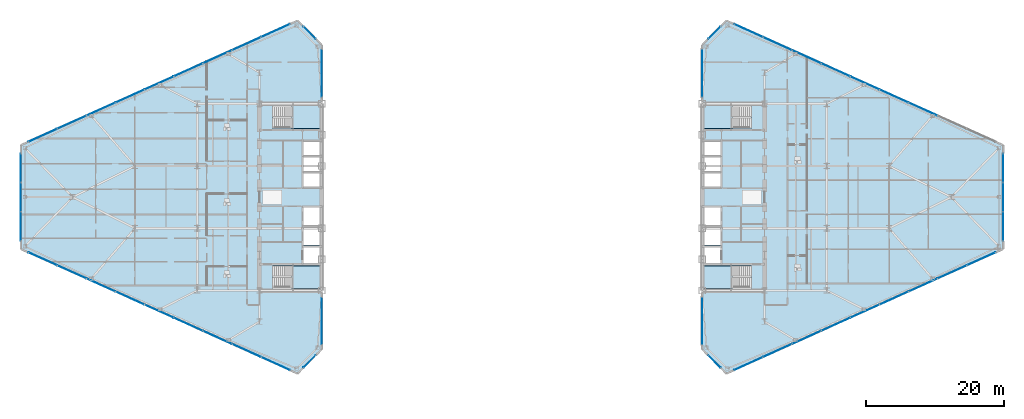
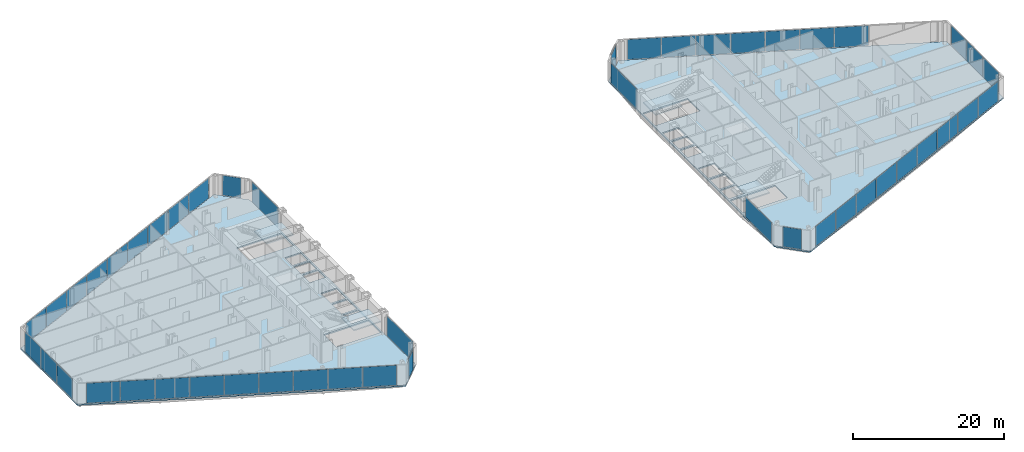
# One storey, part 17 of 27: 48 plates, 6 slabs, 18 elements without a shape of their own.
"""IFC4 building model written with IfcOpenShell, lengths in metres."""

from ifc_helpers import new_model, si_unit, direction, frame, origin, origin_2d, place, context, subcontext, project, spatial, polyline, rectangle, outline, extrude, source, transform, mapped, material, layer, layer_set, type_object, type_shapes, element, aggregate, save


model = new_model("IFC4")

# Units and contexts
model_context = context("Model", 3, precision=1e-05, world=origin(), true_north=direction((0.0, 1.0)))
body_context = subcontext(model_context, "Body", "Model", "MODEL_VIEW")
ifc_project = project(units=[si_unit("LENGTHUNIT", "METRE"), si_unit("AREAUNIT", "SQUARE_METRE"), si_unit("VOLUMEUNIT", "CUBIC_METRE"), si_unit("PLANEANGLEUNIT", "RADIAN"), si_unit("MASSUNIT", "GRAM", prefix="KILO")], contexts=[model_context])

# Site, building, storey
site_placement = place(None, origin())
site = spatial("IfcSite", under=ifc_project, at=site_placement, CompositionType="ELEMENT")
building_placement = place(site_placement, origin())
building = spatial("IfcBuilding", under=site, at=building_placement, Name="Seokmaru Belvedere", CompositionType="ELEMENT")
storey_placement = place(building_placement, frame((0.0, 0.0, 92.39990234375)))
storey = spatial("IfcBuildingStorey", under=building, at=storey_placement, Name="L24", CompositionType="ELEMENT", Elevation=92.39990234375)

# Stair, slab
ifc_material_1 = material(Name="Concrete C40 (40 MPa)", Category="concrete")
stair_type = type_object("IfcStairType", Name="Typical Tower Core Dog-Leg Stair 3600", PredefinedType="TWO_STRAIGHT_RUN_STAIR", material=ifc_material_1)
stair_1_placement = place(storey_placement, origin())
stair_1 = element("IfcStair", 1, at=stair_1_placement, inside=storey, type_object=stair_type, Name="L24 Special Escape Stair ST-W1", PredefinedType="TWO_STRAIGHT_RUN_STAIR")
ifc_layer_1 = layer(ifc_material_1, 0.199951171875)
ifc_layer_set_1 = layer_set([ifc_layer_1], Name="Concrete C40 (40 MPa)")
slab_type_1 = type_object("IfcSlabType", Name="Reinforced Concrete Stair Landing Slab 200", PredefinedType="LANDING", material=ifc_layer_set_1)
slab_1_placement = place(storey_placement, frame((0.0, 0.0, 1.60009765625)))
slab_1 = element("IfcSlab", 2, at=slab_1_placement, type_object=slab_type_1, Name="ST-W1 landing 1", PredefinedType="LANDING", context=body_context, shape_type="SweptSolid", body=[
    extrude(outline(polyline([(-31.8798828125, -13.239990234375), (-27.760009765625, -13.239990234375), (-27.760009765625, -9.949951171875), (-31.8798828125, -9.949951171875), (-31.8798828125, -13.239990234375)])), origin(), (0.0, 0.0, 1.0), 0.199951171875),
])
aggregate(stair_1, [slab_1])

stair_2_placement = place(storey_placement, origin())
stair_2 = element("IfcStair", 3, at=stair_2_placement, inside=storey, type_object=stair_type, Name="L24 Special Escape Stair ST-W2", PredefinedType="TWO_STRAIGHT_RUN_STAIR")
slab_2_placement = place(storey_placement, frame((0.0, 0.0, 1.60009765625)))
slab_2 = element("IfcSlab", 4, at=slab_2_placement, type_object=slab_type_1, Name="ST-W2 landing 1", PredefinedType="LANDING", context=body_context, shape_type="SweptSolid", body=[
    extrude(outline(polyline([(-31.8798828125, 9.949951171875), (-27.760009765625, 9.949951171875), (-27.760009765625, 13.239990234375), (-31.8798828125, 13.239990234375), (-31.8798828125, 9.949951171875)])), origin(), (0.0, 0.0, 1.0), 0.199951171875),
])
aggregate(stair_2, [slab_2])

stair_3_placement = place(storey_placement, origin())
stair_3 = element("IfcStair", 5, at=stair_3_placement, inside=storey, type_object=stair_type, Name="L24 Special Escape Stair ST-E1", PredefinedType="TWO_STRAIGHT_RUN_STAIR")
slab_3_placement = place(storey_placement, frame((0.0, 0.0, 1.60009765625)))
slab_3 = element("IfcSlab", 6, at=slab_3_placement, type_object=slab_type_1, Name="ST-E1 landing 1", PredefinedType="LANDING", context=body_context, shape_type="SweptSolid", body=[
    extrude(outline(polyline([(27.760009765625, -13.239990234375), (31.8798828125, -13.239990234375), (31.8798828125, -9.949951171875), (27.760009765625, -9.949951171875), (27.760009765625, -13.239990234375)])), origin(), (0.0, 0.0, 1.0), 0.199951171875),
])
aggregate(stair_3, [slab_3])

stair_4_placement = place(storey_placement, origin())
stair_4 = element("IfcStair", 7, at=stair_4_placement, inside=storey, type_object=stair_type, Name="L24 Special Escape Stair ST-E2", PredefinedType="TWO_STRAIGHT_RUN_STAIR")
slab_4_placement = place(storey_placement, frame((0.0, 0.0, 1.60009765625)))
slab_4 = element("IfcSlab", 8, at=slab_4_placement, type_object=slab_type_1, Name="ST-E2 landing 1", PredefinedType="LANDING", context=body_context, shape_type="SweptSolid", body=[
    extrude(outline(polyline([(27.760009765625, 9.949951171875), (31.8798828125, 9.949951171875), (31.8798828125, 13.239990234375), (27.760009765625, 13.239990234375), (27.760009765625, 9.949951171875)])), origin(), (0.0, 0.0, 1.0), 0.199951171875),
])
aggregate(stair_4, [slab_4])

# Slabs
ifc_layer_2 = layer(ifc_material_1, 0.219970703125)
ifc_layer_set_2 = layer_set([ifc_layer_2], Name="Concrete C40 (40 MPa)")
slab_type_2 = type_object("IfcSlabType", Name="Typical Tower Composite Floor Slab 220", PredefinedType="FLOOR", material=ifc_layer_set_2)
slab_5_placement = place(storey_placement, frame((0.0, 0.0, -0.219970703125)))
element("IfcSlab", 9, at=slab_5_placement, inside=storey, type_object=slab_type_2, Name="L24 West Leg Floor Slab", PredefinedType="FLOOR", context=body_context, shape_type="SweptSolid", body=[
    extrude(outline(polyline([(-27.5, -22.0), (-27.5, 22.0), (-31.0, 25.5), (-71.0, 7.5), (-71.0, -7.5), (-31.0, -25.5), (-27.5, -22.0)]), holes=[polyline([(-34.60009765625, -13.25), (-27.75, -13.25), (-27.75, -9.949951171875), (-34.60009765625, -9.949951171875), (-34.60009765625, -13.25)]), polyline([(-34.60009765625, 9.949951171875), (-27.75, 9.949951171875), (-27.75, 13.25), (-34.60009765625, 13.25), (-34.60009765625, 9.949951171875)]), polyline([(-30.14990234375, -9.550048828125), (-27.75, -9.550048828125), (-27.75, -7.25), (-30.14990234375, -7.25), (-30.14990234375, -9.550048828125)]), polyline([(-30.14990234375, -6.949951171875), (-27.75, -6.949951171875), (-27.75, -4.35009765625), (-30.14990234375, -4.35009765625), (-30.14990234375, -6.949951171875)]), polyline([(-30.14990234375, -4.050048828125), (-27.75, -4.050048828125), (-27.75, -1.449951171875), (-30.14990234375, -1.449951171875), (-30.14990234375, -4.050048828125)]), polyline([(-30.14990234375, 1.449951171875), (-27.75, 1.449951171875), (-27.75, 3.449951171875), (-30.14990234375, 3.449951171875), (-30.14990234375, 1.449951171875)]), polyline([(-30.14990234375, 3.75), (-27.75, 3.75), (-27.75, 5.75), (-30.14990234375, 5.75), (-30.14990234375, 3.75)]), polyline([(-30.14990234375, 6.050048828125), (-27.75, 6.050048828125), (-27.75, 8.050048828125), (-30.14990234375, 8.050048828125), (-30.14990234375, 6.050048828125)])]), origin(), (0.0, 0.0, 1.0), 0.219970703125),
])
slab_6_placement = place(storey_placement, frame((0.0, 0.0, -0.219970703125)))
element("IfcSlab", 10, at=slab_6_placement, inside=storey, type_object=slab_type_2, Name="L24 East Leg Floor Slab", PredefinedType="FLOOR", context=body_context, shape_type="SweptSolid", body=[
    extrude(outline(polyline([(31.0, -25.5), (71.0, -7.5), (71.0, 7.5), (31.0, 25.5), (27.5, 22.0), (27.5, -22.0), (31.0, -25.5)]), holes=[polyline([(27.75, -13.25), (34.60009765625, -13.25), (34.60009765625, -9.949951171875), (27.75, -9.949951171875), (27.75, -13.25)]), polyline([(27.75, 9.949951171875), (34.60009765625, 9.949951171875), (34.60009765625, 13.25), (27.75, 13.25), (27.75, 9.949951171875)]), polyline([(27.75, -9.550048828125), (30.14990234375, -9.550048828125), (30.14990234375, -7.25), (27.75, -7.25), (27.75, -9.550048828125)]), polyline([(27.75, -6.949951171875), (30.14990234375, -6.949951171875), (30.14990234375, -4.35009765625), (27.75, -4.35009765625), (27.75, -6.949951171875)]), polyline([(27.75, -4.050048828125), (30.14990234375, -4.050048828125), (30.14990234375, -1.449951171875), (27.75, -1.449951171875), (27.75, -4.050048828125)]), polyline([(27.75, 1.449951171875), (30.14990234375, 1.449951171875), (30.14990234375, 3.449951171875), (27.75, 3.449951171875), (27.75, 1.449951171875)]), polyline([(27.75, 3.75), (30.14990234375, 3.75), (30.14990234375, 5.75), (27.75, 5.75), (27.75, 3.75)]), polyline([(27.75, 6.050048828125), (30.14990234375, 6.050048828125), (30.14990234375, 8.050048828125), (27.75, 8.050048828125), (27.75, 6.050048828125)])]), origin(), (0.0, 0.0, 1.0), 0.219970703125),
])

# Curtain wall, plate
ifc_material_2 = material(Name="Bronze Triple Insulating Glass", Category="glass")
ifc_layer_3 = layer(ifc_material_2, 0.195068359375)
ifc_layer_set_3 = layer_set([ifc_layer_3], Name="Bronze Triple Insulating Glass")
curtain_wall_type = type_object("IfcCurtainWallType", Name="Lower-Mid Tapered Curtain Wall System CW-3", PredefinedType="NOTDEFINED", material=ifc_layer_set_3)
curtain_wall_1_placement = place(storey_placement, origin())
curtain_wall_1 = element("IfcCurtainWall", 11, at=curtain_wall_1_placement, inside=storey, type_object=curtain_wall_type, Name="L24 Curtain Wall WSP_1", PredefinedType="NOTDEFINED")
ifc_layer_4 = layer(ifc_material_2, 0.035888671875)
ifc_layer_set_4 = layer_set([ifc_layer_4], Name="Bronze Triple Insulating Glass")
plate_type = type_object("IfcPlateType", Name="Bronze Triple Vision Glazing Panel 36", PredefinedType="CURTAIN_PANEL", material=ifc_layer_set_4)
shared_shape_1 = source(origin(), body_context, "Body", "SweptSolid", [
    extrude(rectangle(XDim=6.909912109375, YDim=0.035888671875, at=origin_2d()), origin(), (0.0, 0.0, 1.0), 3.239990234375),
])
plate_1_placement = place(storey_placement, frame((-27.5, -17.905029296875, 0.0703125), z_axis=(0.0, 0.0, 1.0), x_axis=(0.0, 1.0, 0.0)))
plate_1 = element("IfcPlate", 12, at=plate_1_placement, type_object=plate_type, Name="CW:L24:WSP_1 Glazing Panel 1-1", PredefinedType="CURTAIN_PANEL", context=body_context, shape_type="MappedRepresentation", body=[
    mapped(shared_shape_1, transform((0.0, 0.0, 0.0), scale=1.0)),
])
aggregate(curtain_wall_1, [plate_1])

curtain_wall_2_placement = place(storey_placement, origin())
curtain_wall_2 = element("IfcCurtainWall", 13, at=curtain_wall_2_placement, inside=storey, type_object=curtain_wall_type, Name="L24 Curtain Wall WSP_2", PredefinedType="NOTDEFINED")
plate_2_placement = place(storey_placement, frame((-27.5, 17.905029296875, 0.0703125), z_axis=(0.0, 0.0, 1.0), x_axis=(0.0, 1.0, 0.0)))
plate_2 = element("IfcPlate", 14, at=plate_2_placement, type_object=plate_type, Name="CW:L24:WSP_2 Glazing Panel 1-1", PredefinedType="CURTAIN_PANEL", context=body_context, shape_type="MappedRepresentation", body=[
    mapped(shared_shape_1, transform((0.0, 0.0, 0.0), scale=1.0)),
])
aggregate(curtain_wall_2, [plate_2])

curtain_wall_3_placement = place(storey_placement, origin())
curtain_wall_3 = element("IfcCurtainWall", 15, at=curtain_wall_3_placement, inside=storey, type_object=curtain_wall_type, Name="L24 Curtain Wall ESP_1", PredefinedType="NOTDEFINED")
plate_3_placement = place(storey_placement, frame((27.5, -17.905029296875, 0.0703125), z_axis=(0.0, 0.0, 1.0), x_axis=(0.0, -1.0, 0.0)))
plate_3 = element("IfcPlate", 16, at=plate_3_placement, type_object=plate_type, Name="CW:L24:ESP_1 Glazing Panel 1-1", PredefinedType="CURTAIN_PANEL", context=body_context, shape_type="MappedRepresentation", body=[
    mapped(shared_shape_1, transform((0.0, 0.0, 0.0), scale=1.0)),
])
aggregate(curtain_wall_3, [plate_3])

curtain_wall_4_placement = place(storey_placement, origin())
curtain_wall_4 = element("IfcCurtainWall", 17, at=curtain_wall_4_placement, inside=storey, type_object=curtain_wall_type, Name="L24 Curtain Wall ESP_2", PredefinedType="NOTDEFINED")
plate_4_placement = place(storey_placement, frame((27.5, 17.905029296875, 0.0703125), z_axis=(0.0, 0.0, 1.0), x_axis=(0.0, -1.0, 0.0)))
plate_4 = element("IfcPlate", 18, at=plate_4_placement, type_object=plate_type, Name="CW:L24:ESP_2 Glazing Panel 1-1", PredefinedType="CURTAIN_PANEL", context=body_context, shape_type="MappedRepresentation", body=[
    mapped(shared_shape_1, transform((0.0, 0.0, 0.0), scale=1.0)),
])
aggregate(curtain_wall_4, [plate_4])

curtain_wall_5_placement = place(storey_placement, origin())
curtain_wall_5 = element("IfcCurtainWall", 19, at=curtain_wall_5_placement, inside=storey, type_object=curtain_wall_type, Name="L24 Curtain Wall WF2", PredefinedType="NOTDEFINED")
shared_shape_2 = source(origin(), body_context, "Body", "SweptSolid", [
    extrude(rectangle(XDim=2.509765625, YDim=0.035888671875, at=origin_2d()), origin(), (0.0, 0.0, 1.0), 3.239990234375),
])
plate_5_placement = place(storey_placement, frame((-29.25, 23.75, 0.0703125), z_axis=(0.0, 0.0, 1.0), x_axis=(-0.707106781187, 0.707106781187, 0.0)))
plate_5 = element("IfcPlate", 20, at=plate_5_placement, type_object=plate_type, Name="CW:L24:WF2 Glazing Panel 1-1", PredefinedType="CURTAIN_PANEL", context=body_context, shape_type="MappedRepresentation", body=[
    mapped(shared_shape_2, transform((0.0, 0.0, 0.0), scale=1.0)),
])
aggregate(curtain_wall_5, [plate_5])

curtain_wall_6_placement = place(storey_placement, origin())
curtain_wall_6 = element("IfcCurtainWall", 21, at=curtain_wall_6_placement, inside=storey, type_object=curtain_wall_type, Name="L24 Curtain Wall WF6", PredefinedType="NOTDEFINED")
plate_6_placement = place(storey_placement, frame((-29.25, -23.75, 0.0703125), z_axis=(0.0, 0.0, 1.0), x_axis=(0.707106781187, 0.707106781187, 0.0)))
plate_6 = element("IfcPlate", 22, at=plate_6_placement, type_object=plate_type, Name="CW:L24:WF6 Glazing Panel 1-1", PredefinedType="CURTAIN_PANEL", context=body_context, shape_type="MappedRepresentation", body=[
    mapped(shared_shape_2, transform((0.0, 0.0, 0.0), scale=1.0)),
])
aggregate(curtain_wall_6, [plate_6])

curtain_wall_7_placement = place(storey_placement, origin())
curtain_wall_7 = element("IfcCurtainWall", 23, at=curtain_wall_7_placement, inside=storey, type_object=curtain_wall_type, Name="L24 Curtain Wall EF4", PredefinedType="NOTDEFINED")
plate_7_placement = place(storey_placement, frame((29.25, 23.75, 0.0703125), z_axis=(0.0, 0.0, 1.0), x_axis=(-0.707106781187, -0.707106781187, 0.0)))
plate_7 = element("IfcPlate", 24, at=plate_7_placement, type_object=plate_type, Name="CW:L24:EF4 Glazing Panel 1-1", PredefinedType="CURTAIN_PANEL", context=body_context, shape_type="MappedRepresentation", body=[
    mapped(shared_shape_2, transform((0.0, 0.0, 0.0), scale=1.0)),
])
aggregate(curtain_wall_7, [plate_7])

curtain_wall_8_placement = place(storey_placement, origin())
curtain_wall_8 = element("IfcCurtainWall", 25, at=curtain_wall_8_placement, inside=storey, type_object=curtain_wall_type, Name="L24 Curtain Wall EF6", PredefinedType="NOTDEFINED")
plate_8_placement = place(storey_placement, frame((29.25, -23.75, 0.0703125), z_axis=(0.0, 0.0, 1.0), x_axis=(0.707106781187, -0.707106781187, 0.0)))
plate_8 = element("IfcPlate", 26, at=plate_8_placement, type_object=plate_type, Name="CW:L24:EF6 Glazing Panel 1-1", PredefinedType="CURTAIN_PANEL", context=body_context, shape_type="MappedRepresentation", body=[
    mapped(shared_shape_2, transform((0.0, 0.0, 0.0), scale=1.0)),
])
aggregate(curtain_wall_8, [plate_8])

# Curtain wall, plates
curtain_wall_9_placement = place(storey_placement, origin())
curtain_wall_9 = element("IfcCurtainWall", 27, at=curtain_wall_9_placement, inside=storey, type_object=curtain_wall_type, Name="L24 Curtain Wall WF3", PredefinedType="NOTDEFINED")
shared_shape_3 = source(origin(), body_context, "Body", "SweptSolid", [
    extrude(rectangle(XDim=4.51318359375, YDim=0.035888671875, at=origin_2d()), origin(), (0.0, 0.0, 1.0), 3.239990234375),
])
plate_9_placement = place(storey_placement, frame((-34.17041015625, 24.073486328125, 0.0703125), z_axis=(0.0, 0.0, 1.0), x_axis=(-0.91192111353, -0.41036554765, 0.0)))
plate_9 = element("IfcPlate", 28, at=plate_9_placement, type_object=plate_type, Name="CW:L24:WF3 Glazing Panel 1-1", PredefinedType="CURTAIN_PANEL", context=body_context, shape_type="MappedRepresentation", body=[
    mapped(shared_shape_3, transform((0.0, 0.0, 0.0), scale=1.0)),
])
plate_10_placement = place(storey_placement, frame((-67.82958984375, 8.926513671875, 0.0703125), z_axis=(0.0, 0.0, 1.0), x_axis=(-0.91192111353, -0.41036554765, 0.0)))
plate_10 = element("IfcPlate", 29, at=plate_10_placement, type_object=plate_type, Name="CW:L24:WF3 Glazing Panel 9-1", PredefinedType="CURTAIN_PANEL", context=body_context, shape_type="MappedRepresentation", body=[
    mapped(shared_shape_3, transform((0.0, 0.0, 0.0), scale=1.0)),
])

curtain_wall_10_placement = place(storey_placement, origin())
curtain_wall_10 = element("IfcCurtainWall", 30, at=curtain_wall_10_placement, inside=storey, type_object=curtain_wall_type, Name="L24 Curtain Wall WF5", PredefinedType="NOTDEFINED")
plate_11_placement = place(storey_placement, frame((-67.82958984375, -8.926513671875, 0.0703125), z_axis=(0.0, 0.0, 1.0), x_axis=(0.91192111353, -0.41036554765, 0.0)))
plate_11 = element("IfcPlate", 31, at=plate_11_placement, type_object=plate_type, Name="CW:L24:WF5 Glazing Panel 1-1", PredefinedType="CURTAIN_PANEL", context=body_context, shape_type="MappedRepresentation", body=[
    mapped(shared_shape_3, transform((0.0, 0.0, 0.0), scale=1.0)),
])
plate_12_placement = place(storey_placement, frame((-34.17041015625, -24.073486328125, 0.0703125), z_axis=(0.0, 0.0, 1.0), x_axis=(0.91192111353, -0.41036554765, 0.0)))
plate_12 = element("IfcPlate", 32, at=plate_12_placement, type_object=plate_type, Name="CW:L24:WF5 Glazing Panel 9-1", PredefinedType="CURTAIN_PANEL", context=body_context, shape_type="MappedRepresentation", body=[
    mapped(shared_shape_3, transform((0.0, 0.0, 0.0), scale=1.0)),
])

curtain_wall_11_placement = place(storey_placement, origin())
curtain_wall_11 = element("IfcCurtainWall", 33, at=curtain_wall_11_placement, inside=storey, type_object=curtain_wall_type, Name="L24 Curtain Wall EF1", PredefinedType="NOTDEFINED")
plate_13_placement = place(storey_placement, frame((34.17041015625, -24.073486328125, 0.0703125), z_axis=(0.0, 0.0, 1.0), x_axis=(0.91192111353, 0.41036554765, 0.0)))
plate_13 = element("IfcPlate", 34, at=plate_13_placement, type_object=plate_type, Name="CW:L24:EF1 Glazing Panel 1-1", PredefinedType="CURTAIN_PANEL", context=body_context, shape_type="MappedRepresentation", body=[
    mapped(shared_shape_3, transform((0.0, 0.0, 0.0), scale=1.0)),
])
plate_14_placement = place(storey_placement, frame((67.82958984375, -8.926513671875, 0.0703125), z_axis=(0.0, 0.0, 1.0), x_axis=(0.91192111353, 0.41036554765, 0.0)))
plate_14 = element("IfcPlate", 35, at=plate_14_placement, type_object=plate_type, Name="CW:L24:EF1 Glazing Panel 9-1", PredefinedType="CURTAIN_PANEL", context=body_context, shape_type="MappedRepresentation", body=[
    mapped(shared_shape_3, transform((0.0, 0.0, 0.0), scale=1.0)),
])

# Curtain wall, plate
curtain_wall_12_placement = place(storey_placement, origin())
curtain_wall_12 = element("IfcCurtainWall", 36, at=curtain_wall_12_placement, inside=storey, type_object=curtain_wall_type, Name="L24 Curtain Wall EF3", PredefinedType="NOTDEFINED")
plate_15_placement = place(storey_placement, frame((34.17041015625, 24.073486328125, 0.0703125), z_axis=(0.0, 0.0, 1.0), x_axis=(-0.91192111353, 0.41036554765, 0.0)))
plate_15 = element("IfcPlate", 37, at=plate_15_placement, type_object=plate_type, Name="CW:L24:EF3 Glazing Panel 9-1", PredefinedType="CURTAIN_PANEL", context=body_context, shape_type="MappedRepresentation", body=[
    mapped(shared_shape_3, transform((0.0, 0.0, 0.0), scale=1.0)),
])

# Plate
shared_shape_4 = source(origin(), body_context, "Body", "SweptSolid", [
    extrude(rectangle(XDim=4.548095703125, YDim=0.035888671875, at=origin_2d()), origin(), (0.0, 0.0, 1.0), 3.239990234375),
])
plate_16_placement = place(storey_placement, frame((-38.36572265625, 22.185302734375, 0.0703125), z_axis=(0.0, 0.0, 1.0), x_axis=(-0.91192111353, -0.41036554765, 0.0)))
plate_16 = element("IfcPlate", 38, at=plate_16_placement, type_object=plate_type, Name="CW:L24:WF3 Glazing Panel 2-1", PredefinedType="CURTAIN_PANEL", context=body_context, shape_type="MappedRepresentation", body=[
    mapped(shared_shape_4, transform((0.0, 0.0, 0.0), scale=1.0)),
])

plate_17_placement = place(storey_placement, frame((-42.5771484375, 20.290283203125, 0.0703125), z_axis=(0.0, 0.0, 1.0), x_axis=(-0.91192111353, -0.41036554765, 0.0)))
plate_17 = element("IfcPlate", 39, at=plate_17_placement, type_object=plate_type, Name="CW:L24:WF3 Glazing Panel 3-1", PredefinedType="CURTAIN_PANEL", context=body_context, shape_type="MappedRepresentation", body=[
    mapped(shared_shape_4, transform((0.0, 0.0, 0.0), scale=1.0)),
])

plate_18_placement = place(storey_placement, frame((-46.78857421875, 18.39501953125, 0.0703125), z_axis=(0.0, 0.0, 1.0), x_axis=(-0.91192111353, -0.41036554765, 0.0)))
plate_18 = element("IfcPlate", 40, at=plate_18_placement, type_object=plate_type, Name="CW:L24:WF3 Glazing Panel 4-1", PredefinedType="CURTAIN_PANEL", context=body_context, shape_type="MappedRepresentation", body=[
    mapped(shared_shape_4, transform((0.0, 0.0, 0.0), scale=1.0)),
])

plate_19_placement = place(storey_placement, frame((-51.0, 16.5, 0.0703125), z_axis=(0.0, 0.0, 1.0), x_axis=(-0.91192111353, -0.41036554765, 0.0)))
plate_19 = element("IfcPlate", 41, at=plate_19_placement, type_object=plate_type, Name="CW:L24:WF3 Glazing Panel 5-1", PredefinedType="CURTAIN_PANEL", context=body_context, shape_type="MappedRepresentation", body=[
    mapped(shared_shape_4, transform((0.0, 0.0, 0.0), scale=1.0)),
])

plate_20_placement = place(storey_placement, frame((-55.21142578125, 14.60498046875, 0.0703125), z_axis=(0.0, 0.0, 1.0), x_axis=(-0.91192111353, -0.41036554765, 0.0)))
plate_20 = element("IfcPlate", 42, at=plate_20_placement, type_object=plate_type, Name="CW:L24:WF3 Glazing Panel 6-1", PredefinedType="CURTAIN_PANEL", context=body_context, shape_type="MappedRepresentation", body=[
    mapped(shared_shape_4, transform((0.0, 0.0, 0.0), scale=1.0)),
])

plate_21_placement = place(storey_placement, frame((-59.4228515625, 12.709716796875, 0.0703125), z_axis=(0.0, 0.0, 1.0), x_axis=(-0.91192111353, -0.41036554765, 0.0)))
plate_21 = element("IfcPlate", 43, at=plate_21_placement, type_object=plate_type, Name="CW:L24:WF3 Glazing Panel 7-1", PredefinedType="CURTAIN_PANEL", context=body_context, shape_type="MappedRepresentation", body=[
    mapped(shared_shape_4, transform((0.0, 0.0, 0.0), scale=1.0)),
])

plate_22_placement = place(storey_placement, frame((-63.63427734375, 10.814697265625, 0.0703125), z_axis=(0.0, 0.0, 1.0), x_axis=(-0.91192111353, -0.41036554765, 0.0)))
plate_22 = element("IfcPlate", 44, at=plate_22_placement, type_object=plate_type, Name="CW:L24:WF3 Glazing Panel 8-1", PredefinedType="CURTAIN_PANEL", context=body_context, shape_type="MappedRepresentation", body=[
    mapped(shared_shape_4, transform((0.0, 0.0, 0.0), scale=1.0)),
])

aggregate(curtain_wall_9, [plate_9, plate_16, plate_17, plate_18, plate_19, plate_20, plate_21, plate_22, plate_10])

plate_23_placement = place(storey_placement, frame((-63.63427734375, -10.814697265625, 0.0703125), z_axis=(0.0, 0.0, 1.0), x_axis=(0.91192111353, -0.41036554765, 0.0)))
plate_23 = element("IfcPlate", 45, at=plate_23_placement, type_object=plate_type, Name="CW:L24:WF5 Glazing Panel 2-1", PredefinedType="CURTAIN_PANEL", context=body_context, shape_type="MappedRepresentation", body=[
    mapped(shared_shape_4, transform((0.0, 0.0, 0.0), scale=1.0)),
])

plate_24_placement = place(storey_placement, frame((-59.4228515625, -12.709716796875, 0.0703125), z_axis=(0.0, 0.0, 1.0), x_axis=(0.91192111353, -0.41036554765, 0.0)))
plate_24 = element("IfcPlate", 46, at=plate_24_placement, type_object=plate_type, Name="CW:L24:WF5 Glazing Panel 3-1", PredefinedType="CURTAIN_PANEL", context=body_context, shape_type="MappedRepresentation", body=[
    mapped(shared_shape_4, transform((0.0, 0.0, 0.0), scale=1.0)),
])

plate_25_placement = place(storey_placement, frame((-55.21142578125, -14.60498046875, 0.0703125), z_axis=(0.0, 0.0, 1.0), x_axis=(0.91192111353, -0.41036554765, 0.0)))
plate_25 = element("IfcPlate", 47, at=plate_25_placement, type_object=plate_type, Name="CW:L24:WF5 Glazing Panel 4-1", PredefinedType="CURTAIN_PANEL", context=body_context, shape_type="MappedRepresentation", body=[
    mapped(shared_shape_4, transform((0.0, 0.0, 0.0), scale=1.0)),
])

plate_26_placement = place(storey_placement, frame((-51.0, -16.5, 0.0703125), z_axis=(0.0, 0.0, 1.0), x_axis=(0.91192111353, -0.41036554765, 0.0)))
plate_26 = element("IfcPlate", 48, at=plate_26_placement, type_object=plate_type, Name="CW:L24:WF5 Glazing Panel 5-1", PredefinedType="CURTAIN_PANEL", context=body_context, shape_type="MappedRepresentation", body=[
    mapped(shared_shape_4, transform((0.0, 0.0, 0.0), scale=1.0)),
])

plate_27_placement = place(storey_placement, frame((-46.78857421875, -18.39501953125, 0.0703125), z_axis=(0.0, 0.0, 1.0), x_axis=(0.91192111353, -0.41036554765, 0.0)))
plate_27 = element("IfcPlate", 49, at=plate_27_placement, type_object=plate_type, Name="CW:L24:WF5 Glazing Panel 6-1", PredefinedType="CURTAIN_PANEL", context=body_context, shape_type="MappedRepresentation", body=[
    mapped(shared_shape_4, transform((0.0, 0.0, 0.0), scale=1.0)),
])

plate_28_placement = place(storey_placement, frame((-42.5771484375, -20.290283203125, 0.0703125), z_axis=(0.0, 0.0, 1.0), x_axis=(0.91192111353, -0.41036554765, 0.0)))
plate_28 = element("IfcPlate", 50, at=plate_28_placement, type_object=plate_type, Name="CW:L24:WF5 Glazing Panel 7-1", PredefinedType="CURTAIN_PANEL", context=body_context, shape_type="MappedRepresentation", body=[
    mapped(shared_shape_4, transform((0.0, 0.0, 0.0), scale=1.0)),
])

plate_29_placement = place(storey_placement, frame((-38.36572265625, -22.185302734375, 0.0703125), z_axis=(0.0, 0.0, 1.0), x_axis=(0.91192111353, -0.41036554765, 0.0)))
plate_29 = element("IfcPlate", 51, at=plate_29_placement, type_object=plate_type, Name="CW:L24:WF5 Glazing Panel 8-1", PredefinedType="CURTAIN_PANEL", context=body_context, shape_type="MappedRepresentation", body=[
    mapped(shared_shape_4, transform((0.0, 0.0, 0.0), scale=1.0)),
])

aggregate(curtain_wall_10, [plate_11, plate_23, plate_24, plate_25, plate_26, plate_27, plate_28, plate_29, plate_12])

plate_30_placement = place(storey_placement, frame((38.36572265625, -22.185302734375, 0.0703125), z_axis=(0.0, 0.0, 1.0), x_axis=(0.91192111353, 0.41036554765, 0.0)))
plate_30 = element("IfcPlate", 52, at=plate_30_placement, type_object=plate_type, Name="CW:L24:EF1 Glazing Panel 2-1", PredefinedType="CURTAIN_PANEL", context=body_context, shape_type="MappedRepresentation", body=[
    mapped(shared_shape_4, transform((0.0, 0.0, 0.0), scale=1.0)),
])

plate_31_placement = place(storey_placement, frame((42.5771484375, -20.290283203125, 0.0703125), z_axis=(0.0, 0.0, 1.0), x_axis=(0.91192111353, 0.41036554765, 0.0)))
plate_31 = element("IfcPlate", 53, at=plate_31_placement, type_object=plate_type, Name="CW:L24:EF1 Glazing Panel 3-1", PredefinedType="CURTAIN_PANEL", context=body_context, shape_type="MappedRepresentation", body=[
    mapped(shared_shape_4, transform((0.0, 0.0, 0.0), scale=1.0)),
])

plate_32_placement = place(storey_placement, frame((46.78857421875, -18.39501953125, 0.0703125), z_axis=(0.0, 0.0, 1.0), x_axis=(0.91192111353, 0.41036554765, 0.0)))
plate_32 = element("IfcPlate", 54, at=plate_32_placement, type_object=plate_type, Name="CW:L24:EF1 Glazing Panel 4-1", PredefinedType="CURTAIN_PANEL", context=body_context, shape_type="MappedRepresentation", body=[
    mapped(shared_shape_4, transform((0.0, 0.0, 0.0), scale=1.0)),
])

plate_33_placement = place(storey_placement, frame((51.0, -16.5, 0.0703125), z_axis=(0.0, 0.0, 1.0), x_axis=(0.91192111353, 0.41036554765, 0.0)))
plate_33 = element("IfcPlate", 55, at=plate_33_placement, type_object=plate_type, Name="CW:L24:EF1 Glazing Panel 5-1", PredefinedType="CURTAIN_PANEL", context=body_context, shape_type="MappedRepresentation", body=[
    mapped(shared_shape_4, transform((0.0, 0.0, 0.0), scale=1.0)),
])

plate_34_placement = place(storey_placement, frame((55.21142578125, -14.60498046875, 0.0703125), z_axis=(0.0, 0.0, 1.0), x_axis=(0.91192111353, 0.41036554765, 0.0)))
plate_34 = element("IfcPlate", 56, at=plate_34_placement, type_object=plate_type, Name="CW:L24:EF1 Glazing Panel 6-1", PredefinedType="CURTAIN_PANEL", context=body_context, shape_type="MappedRepresentation", body=[
    mapped(shared_shape_4, transform((0.0, 0.0, 0.0), scale=1.0)),
])

plate_35_placement = place(storey_placement, frame((59.4228515625, -12.709716796875, 0.0703125), z_axis=(0.0, 0.0, 1.0), x_axis=(0.91192111353, 0.41036554765, 0.0)))
plate_35 = element("IfcPlate", 57, at=plate_35_placement, type_object=plate_type, Name="CW:L24:EF1 Glazing Panel 7-1", PredefinedType="CURTAIN_PANEL", context=body_context, shape_type="MappedRepresentation", body=[
    mapped(shared_shape_4, transform((0.0, 0.0, 0.0), scale=1.0)),
])

plate_36_placement = place(storey_placement, frame((63.63427734375, -10.814697265625, 0.0703125), z_axis=(0.0, 0.0, 1.0), x_axis=(0.91192111353, 0.41036554765, 0.0)))
plate_36 = element("IfcPlate", 58, at=plate_36_placement, type_object=plate_type, Name="CW:L24:EF1 Glazing Panel 8-1", PredefinedType="CURTAIN_PANEL", context=body_context, shape_type="MappedRepresentation", body=[
    mapped(shared_shape_4, transform((0.0, 0.0, 0.0), scale=1.0)),
])

aggregate(curtain_wall_11, [plate_13, plate_30, plate_31, plate_32, plate_33, plate_34, plate_35, plate_36, plate_14])

plate_37_placement = place(storey_placement, frame((59.4228515625, 12.709716796875, 0.0703125), z_axis=(0.0, 0.0, 1.0), x_axis=(-0.91192111353, 0.41036554765, 0.0)))
plate_37 = element("IfcPlate", 59, at=plate_37_placement, type_object=plate_type, Name="CW:L24:EF3 Glazing Panel 3-1", PredefinedType="CURTAIN_PANEL", context=body_context, shape_type="MappedRepresentation", body=[
    mapped(shared_shape_4, transform((0.0, 0.0, 0.0), scale=1.0)),
])

plate_38_placement = place(storey_placement, frame((55.21142578125, 14.60498046875, 0.0703125), z_axis=(0.0, 0.0, 1.0), x_axis=(-0.91192111353, 0.41036554765, 0.0)))
plate_38 = element("IfcPlate", 60, at=plate_38_placement, type_object=plate_type, Name="CW:L24:EF3 Glazing Panel 4-1", PredefinedType="CURTAIN_PANEL", context=body_context, shape_type="MappedRepresentation", body=[
    mapped(shared_shape_4, transform((0.0, 0.0, 0.0), scale=1.0)),
])

plate_39_placement = place(storey_placement, frame((51.0, 16.5, 0.0703125), z_axis=(0.0, 0.0, 1.0), x_axis=(-0.91192111353, 0.41036554765, 0.0)))
plate_39 = element("IfcPlate", 61, at=plate_39_placement, type_object=plate_type, Name="CW:L24:EF3 Glazing Panel 5-1", PredefinedType="CURTAIN_PANEL", context=body_context, shape_type="MappedRepresentation", body=[
    mapped(shared_shape_4, transform((0.0, 0.0, 0.0), scale=1.0)),
])

plate_40_placement = place(storey_placement, frame((46.78857421875, 18.39501953125, 0.0703125), z_axis=(0.0, 0.0, 1.0), x_axis=(-0.91192111353, 0.41036554765, 0.0)))
plate_40 = element("IfcPlate", 62, at=plate_40_placement, type_object=plate_type, Name="CW:L24:EF3 Glazing Panel 6-1", PredefinedType="CURTAIN_PANEL", context=body_context, shape_type="MappedRepresentation", body=[
    mapped(shared_shape_4, transform((0.0, 0.0, 0.0), scale=1.0)),
])

plate_41_placement = place(storey_placement, frame((42.5771484375, 20.290283203125, 0.0703125), z_axis=(0.0, 0.0, 1.0), x_axis=(-0.91192111353, 0.41036554765, 0.0)))
plate_41 = element("IfcPlate", 63, at=plate_41_placement, type_object=plate_type, Name="CW:L24:EF3 Glazing Panel 7-1", PredefinedType="CURTAIN_PANEL", context=body_context, shape_type="MappedRepresentation", body=[
    mapped(shared_shape_4, transform((0.0, 0.0, 0.0), scale=1.0)),
])

plate_42_placement = place(storey_placement, frame((38.36572265625, 22.185302734375, 0.0703125), z_axis=(0.0, 0.0, 1.0), x_axis=(-0.91192111353, 0.41036554765, 0.0)))
plate_42 = element("IfcPlate", 64, at=plate_42_placement, type_object=plate_type, Name="CW:L24:EF3 Glazing Panel 8-1", PredefinedType="CURTAIN_PANEL", context=body_context, shape_type="MappedRepresentation", body=[
    mapped(shared_shape_4, transform((0.0, 0.0, 0.0), scale=1.0)),
])

aggregate(curtain_wall_12, [plate_37, plate_38, plate_39, plate_40, plate_41, plate_42, plate_15])

# Curtain wall, plates
curtain_wall_13_placement = place(storey_placement, origin())
curtain_wall_13 = element("IfcCurtainWall", 65, at=curtain_wall_13_placement, inside=storey, type_object=curtain_wall_type, Name="L24 Curtain Wall WF4", PredefinedType="NOTDEFINED")
shared_shape_5 = source(origin(), body_context, "Body", "SweptSolid", [
    extrude(rectangle(XDim=4.12841796875, YDim=0.035888671875, at=origin_2d()), origin(), (0.0, 0.0, 1.0), 3.239990234375),
])
plate_43_placement = place(storey_placement, frame((-71.0, 4.2158203125, 0.0703125), z_axis=(0.0, 0.0, 1.0), x_axis=(0.0, -1.0, 0.0)))
plate_43 = element("IfcPlate", 66, at=plate_43_placement, type_object=plate_type, Name="CW:L24:WF4 Glazing Panel 1-1", PredefinedType="CURTAIN_PANEL", context=body_context, shape_type="MappedRepresentation", body=[
    mapped(shared_shape_5, transform((0.0, 0.0, 0.0), scale=1.0)),
])
plate_44_placement = place(storey_placement, frame((-71.0, -4.2158203125, 0.0703125), z_axis=(0.0, 0.0, 1.0), x_axis=(0.0, -1.0, 0.0)))
plate_44 = element("IfcPlate", 67, at=plate_44_placement, type_object=plate_type, Name="CW:L24:WF4 Glazing Panel 3-1", PredefinedType="CURTAIN_PANEL", context=body_context, shape_type="MappedRepresentation", body=[
    mapped(shared_shape_5, transform((0.0, 0.0, 0.0), scale=1.0)),
])

curtain_wall_14_placement = place(storey_placement, origin())
curtain_wall_14 = element("IfcCurtainWall", 68, at=curtain_wall_14_placement, inside=storey, type_object=curtain_wall_type, Name="L24 Curtain Wall EF2", PredefinedType="NOTDEFINED")
plate_45_placement = place(storey_placement, frame((71.0, -4.2158203125, 0.0703125), z_axis=(0.0, 0.0, 1.0), x_axis=(0.0, 1.0, 0.0)))
plate_45 = element("IfcPlate", 69, at=plate_45_placement, type_object=plate_type, Name="CW:L24:EF2 Glazing Panel 1-1", PredefinedType="CURTAIN_PANEL", context=body_context, shape_type="MappedRepresentation", body=[
    mapped(shared_shape_5, transform((0.0, 0.0, 0.0), scale=1.0)),
])
plate_46_placement = place(storey_placement, frame((71.0, 4.2158203125, 0.0703125), z_axis=(0.0, 0.0, 1.0), x_axis=(0.0, 1.0, 0.0)))
plate_46 = element("IfcPlate", 70, at=plate_46_placement, type_object=plate_type, Name="CW:L24:EF2 Glazing Panel 3-1", PredefinedType="CURTAIN_PANEL", context=body_context, shape_type="MappedRepresentation", body=[
    mapped(shared_shape_5, transform((0.0, 0.0, 0.0), scale=1.0)),
])

# Plate
shared_shape_6 = source(origin(), body_context, "Body", "SweptSolid", [
    extrude(rectangle(XDim=4.163330078125, YDim=0.035888671875, at=origin_2d()), origin(), (0.0, 0.0, 1.0), 3.239990234375),
])
type_shapes(plate_type, [shared_shape_1, shared_shape_2, shared_shape_3, shared_shape_4, shared_shape_5, shared_shape_6])
plate_47_placement = place(storey_placement, frame((-71.0, 0.0, 0.0703125), z_axis=(0.0, 0.0, 1.0), x_axis=(0.0, -1.0, 0.0)))
plate_47 = element("IfcPlate", 71, at=plate_47_placement, type_object=plate_type, Name="CW:L24:WF4 Glazing Panel 2-1", PredefinedType="CURTAIN_PANEL", context=body_context, shape_type="MappedRepresentation", body=[
    mapped(shared_shape_6, transform((0.0, 0.0, 0.0), scale=1.0)),
])

aggregate(curtain_wall_13, [plate_43, plate_47, plate_44])

plate_48_placement = place(storey_placement, frame((71.0, 0.0, 0.0703125), z_axis=(0.0, 0.0, 1.0), x_axis=(0.0, 1.0, 0.0)))
plate_48 = element("IfcPlate", 72, at=plate_48_placement, type_object=plate_type, Name="CW:L24:EF2 Glazing Panel 2-1", PredefinedType="CURTAIN_PANEL", context=body_context, shape_type="MappedRepresentation", body=[
    mapped(shared_shape_6, transform((0.0, 0.0, 0.0), scale=1.0)),
])

aggregate(curtain_wall_14, [plate_45, plate_48, plate_46])

save(model, "model.ifc")
